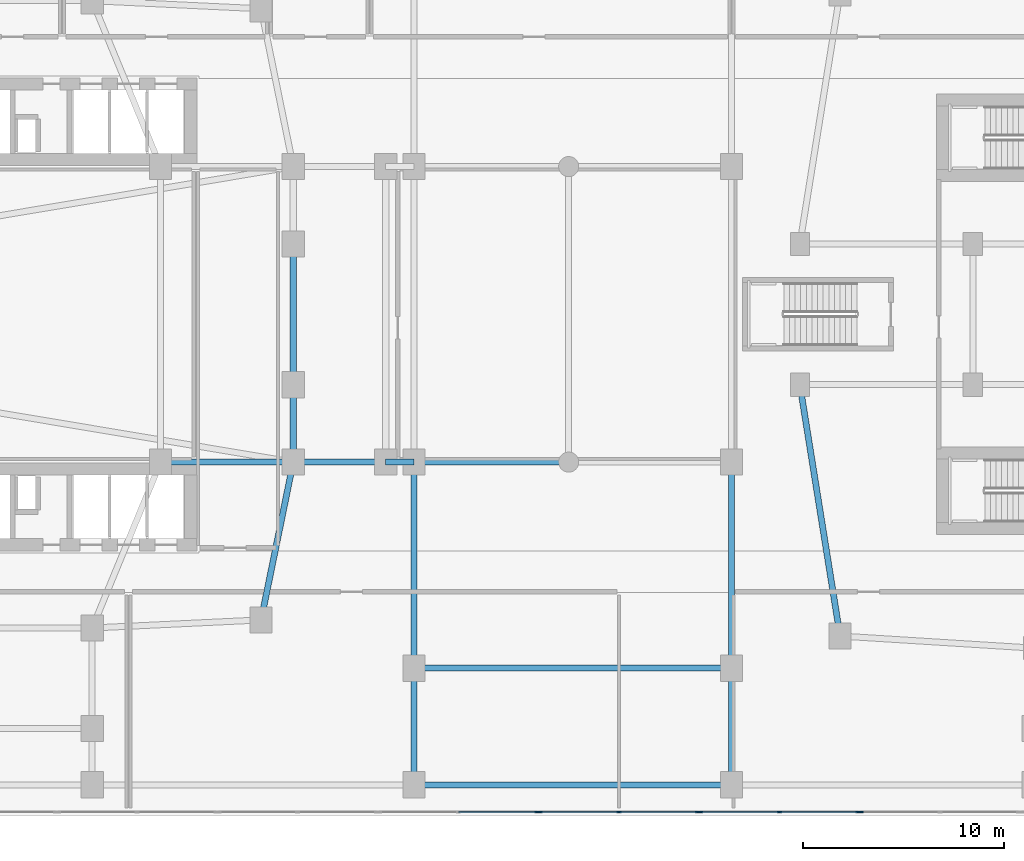
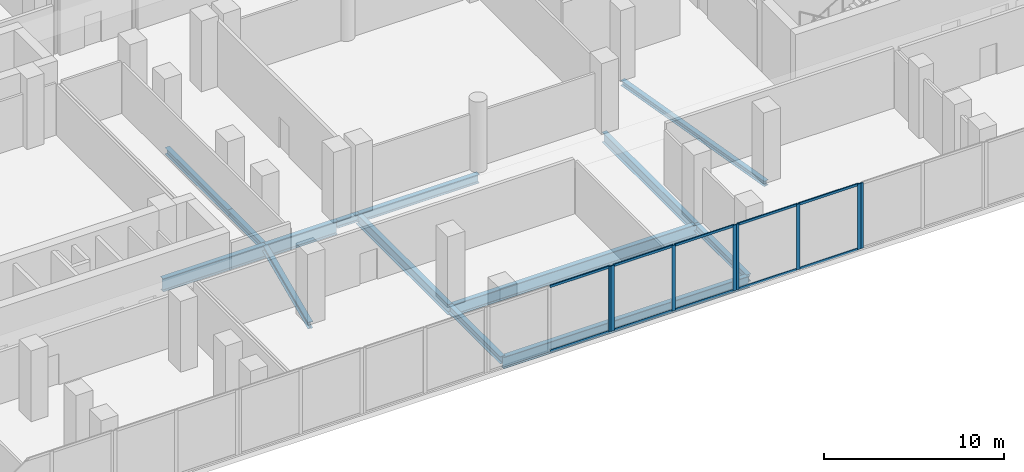
# One storey, part 4 of 23: 18 members, 14 beams, 4 elements without a shape of their own.
"""IFC4 building model written with IfcOpenShell, lengths in metres."""

import ifcopenshell
import ifcopenshell.guid

model = None  # the IFC model being written
_history = None  # IfcOwnerHistory: only IFC2X3 demands one
_inside = {}  # id of a spatial element -> (the spatial element, [elements in it])
_under = {}  # id of a project, library or spatial element -> (it, [spatial elements below it])
_declared = {}  # id of a project -> (the project, [libraries it declares])
_typed = {}  # id of a type object -> (the type object, [elements of that type])
_made_of = {}  # id of a material, layer set ... -> (it, [elements and type objects made of it])


def new_model(schema):
    """Start an empty IFC model of exactly this schema.

    Asked for "IFC4X3", IfcOpenShell would pick the latest addendum, in which some entities
    have other attributes; the version numbers below select the first issue.
    IFC2X3 requires an IfcOwnerHistory on every rooted entity: one is made here for all.
    """
    global model, _history
    if schema == "IFC4X3":
        model = ifcopenshell.file(schema_version=(4, 3, 0, 0))
    else:
        model = ifcopenshell.file(schema=schema)
    _inside.clear()
    _under.clear()
    _declared.clear()
    _typed.clear()
    _made_of.clear()
    _history = None
    if model.schema == "IFC2X3":
        org = make("IfcOrganization", Name="unknown")
        user = make(
            "IfcPersonAndOrganization",
            ThePerson=make("IfcPerson", FamilyName="unknown"),
            TheOrganization=org,
        )
        app = make(
            "IfcApplication",
            ApplicationDeveloper=org,
            Version="unknown",
            ApplicationFullName="unknown",
            ApplicationIdentifier="unknown",
        )
        _history = make(
            "IfcOwnerHistory",
            OwningUser=user,
            OwningApplication=app,
            ChangeAction="ADDED",
            CreationDate=0,
        )
    return model


def make(cls, **values):
    """One entity of the class cls with the attributes given. An attribute that is None is left unset."""
    return model.create_entity(
        cls, **{name: value for name, value in values.items() if value is not None}
    )


def rooted(cls, **values):
    """An entity with a GlobalId (a new one), such as an element, a storey or a relation."""
    return make(cls, GlobalId=ifcopenshell.guid.new(), OwnerHistory=_history, **values)


def si_unit(unit_type, name, prefix=None):
    """IfcSIUnit, for example si_unit("LENGTHUNIT", "METRE", prefix="MILLI")."""
    return make("IfcSIUnit", UnitType=unit_type, Prefix=prefix, Name=name)


def derived_unit(unit_type, elements):
    """IfcDerivedUnit: a product of units, each with its exponent."""
    return make(
        "IfcDerivedUnit",
        Elements=[
            make("IfcDerivedUnitElement", Unit=unit, Exponent=power)
            for unit, power in elements
        ],
        UnitType=unit_type,
    )


def assignment(units):
    """IfcUnitAssignment: the units of a project."""
    return None if units is None else make("IfcUnitAssignment", Units=units)


def point(xyz):
    """IfcCartesianPoint."""
    return None if xyz is None else make("IfcCartesianPoint", Coordinates=xyz)


def direction(xyz):
    """IfcDirection."""
    return None if xyz is None else make("IfcDirection", DirectionRatios=xyz)


def frame(location, z_axis=None, x_axis=None):
    """IfcAxis2Placement3D, a coordinate frame: its origin and axes. An axis left out is left unset."""
    return make(
        "IfcAxis2Placement3D",
        Location=point(location),
        Axis=direction(z_axis),
        RefDirection=direction(x_axis),
    )


def frame_2d(location, x_axis=None):
    """IfcAxis2Placement2D, a coordinate frame in the plane: its origin and x axis."""
    return make(
        "IfcAxis2Placement2D", Location=point(location), RefDirection=direction(x_axis)
    )


def origin():
    """The frame at (0, 0, 0) with its axes left unset."""
    return frame((0.0, 0.0, 0.0))


def origin_2d():
    """The frame at (0, 0) in the plane with its x axis left unset."""
    return frame_2d((0.0, 0.0))


def place(relative_to, where):
    """IfcLocalPlacement: puts the frame where relative to a parent placement (None: the world)."""
    return make(
        "IfcLocalPlacement", PlacementRelTo=relative_to, RelativePlacement=where
    )


def context(
    kind, dimensions, precision=None, world=None, true_north=None, identifier=None
):
    """IfcGeometricRepresentationContext, for example the 3D "Model" context."""
    return make(
        "IfcGeometricRepresentationContext",
        ContextIdentifier=identifier,
        ContextType=kind,
        CoordinateSpaceDimension=dimensions,
        Precision=precision,
        WorldCoordinateSystem=world,
        TrueNorth=true_north,
    )


def subcontext(parent, identifier, kind, view, scale=None):
    """IfcGeometricRepresentationSubContext, for example "Body" below "Model"."""
    return make(
        "IfcGeometricRepresentationSubContext",
        ContextIdentifier=identifier,
        ContextType=kind,
        ParentContext=parent,
        TargetScale=scale,
        TargetView=view,
    )


def project(units=None, contexts=None):
    """IfcProject with its units and contexts."""
    return rooted(
        "IfcProject",
        Name="project",
        RepresentationContexts=contexts,
        UnitsInContext=assignment(units),
    )


def spatial(cls, under=None, at=None, **own):
    """A site, building, storey or space (cls), placed at a placement, below another one or the project."""
    s = rooted(cls, ObjectPlacement=at, **own)
    if under is not None:
        _under.setdefault(under.id(), (under, []))[1].append(s)
    return s


def profile(cls, at=None, kind="AREA", **sizes):
    """A parametric profile (cls). Its sizes go by their IFC names, for example OverallWidth=200.0."""
    return make(cls, ProfileType=kind, Position=at, **sizes)


def rectangle(**sizes):
    """IfcRectangleProfileDef."""
    return profile("IfcRectangleProfileDef", **sizes)


def i_section(**sizes):
    """IfcIShapeProfileDef."""
    return profile("IfcIShapeProfileDef", **sizes)


def extrude(swept, where, along, depth):
    """IfcExtrudedAreaSolid: the profile swept, set in the frame where, extruded along a direction by depth."""
    return make(
        "IfcExtrudedAreaSolid",
        SweptArea=swept,
        Position=where,
        ExtrudedDirection=direction(along),
        Depth=depth,
    )


def shape(context_of_items, identifier, shape_type, items):
    """IfcShapeRepresentation: the items that make up one representation, for example the "Body"."""
    return make(
        "IfcShapeRepresentation",
        ContextOfItems=context_of_items,
        RepresentationIdentifier=identifier,
        RepresentationType=shape_type,
        Items=items,
    )


def material(Name=None, Category=None):
    """IfcMaterial."""
    return make("IfcMaterial", Name=Name, Category=Category)


def layer(
    of_material, thickness, ventilated=None, Name=None, Category=None, Priority=None
):
    """IfcMaterialLayer: one layer of a wall or slab, of a material (None: an air gap)."""
    return make(
        "IfcMaterialLayer",
        Material=of_material,
        LayerThickness=thickness,
        IsVentilated=ventilated,
        Name=Name,
        Category=Category,
        Priority=Priority,
    )


def layer_set(layers, Name=None):
    """IfcMaterialLayerSet."""
    return make("IfcMaterialLayerSet", MaterialLayers=layers, LayerSetName=Name)


def material_profile(
    of_material, cross_section, Name=None, Category=None, Priority=None
):
    """IfcMaterialProfile: a cross section and its material."""
    return make(
        "IfcMaterialProfile",
        Name=Name,
        Material=of_material,
        Profile=cross_section,
        Priority=Priority,
        Category=Category,
    )


def profile_set(profiles, Name=None, composite=None):
    """IfcMaterialProfileSet."""
    return make(
        "IfcMaterialProfileSet",
        Name=Name,
        MaterialProfiles=profiles,
        CompositeProfile=composite,
    )


def made_of(thing, what):
    """Note that an element or type object is made of a material, layer set ...; save() writes the relation."""
    if what is not None:
        _made_of.setdefault(what.id(), (what, []))[1].append(thing)
    return thing


def type_object(cls, material=None, **own):
    """A type object (cls), such as IfcWallType, which elements share."""
    return made_of(rooted(cls, **own), material)


def element(
    cls,
    number,
    at=None,
    inside=None,
    cuts=None,
    type_object=None,
    material=None,
    context=None,
    identifier="Body",
    shape_type=None,
    held_by="IfcProductDefinitionShape",
    body=None,
    shapes=None,
    **own,
):
    """One element of the class cls, such as IfcWall. Its Tag is "e" and its number.

    at: its placement. inside: the storey or other place that contains it. cuts: it is an
    opening in that element (IfcRelVoidsElement). A single representation is given by context,
    identifier, shape_type and body (its items); several are given by shapes. held_by: the class
    of the entity that holds the representations. save() writes the other relations.
    """
    e = rooted(cls, Tag="e%d" % number, ObjectPlacement=at, **own)
    if body is not None:
        shapes = [shape(context, identifier, shape_type, body)]
    if shapes is not None:
        e.Representation = make(held_by, Representations=shapes)
    if inside is not None:
        _inside.setdefault(inside.id(), (inside, []))[1].append(e)
    if cuts is not None:
        rooted(
            "IfcRelVoidsElement", RelatingBuildingElement=cuts, RelatedOpeningElement=e
        )
    if type_object is not None:
        _typed.setdefault(type_object.id(), (type_object, []))[1].append(e)
    return made_of(e, material)


def aggregate(whole, parts):
    """IfcRelAggregates: a whole, such as a stair, and the parts it consists of."""
    return rooted("IfcRelAggregates", RelatingObject=whole, RelatedObjects=parts)


def save(model, path):
    """Write the relations noted so far, then the file.

    IfcRelAggregates (storeys below a building ...), IfcRelContainedInSpatialStructure (elements
    in a storey), IfcRelDefinesByType, IfcRelAssociatesMaterial and IfcRelDeclares: one each for
    every whole, place, type object, material and project.
    """
    for whole, parts in _under.values():
        aggregate(whole, parts)
    for where, things in _inside.values():
        rooted(
            "IfcRelContainedInSpatialStructure",
            RelatedElements=things,
            RelatingStructure=where,
        )
    for kind, things in _typed.values():
        rooted("IfcRelDefinesByType", RelatedObjects=things, RelatingType=kind)
    for what, things in _made_of.values():
        rooted("IfcRelAssociatesMaterial", RelatedObjects=things, RelatingMaterial=what)
    for by, libraries in _declared.values():
        rooted("IfcRelDeclares", RelatingContext=by, RelatedDefinitions=libraries)
    model.write(path)


model = new_model("IFC4")

# Units and contexts
model_context = context("Model", 3, precision=1e-05, world=origin(), true_north=direction((0.0, 1.0)))
body_context = subcontext(model_context, "Body", "Model", "MODEL_VIEW")
ifc_project = project(units=[si_unit("LENGTHUNIT", "METRE"), si_unit("AREAUNIT", "SQUARE_METRE"), si_unit("VOLUMEUNIT", "CUBIC_METRE"), si_unit("PLANEANGLEUNIT", "RADIAN"), si_unit("MASSUNIT", "GRAM", prefix="KILO"), derived_unit("THERMALTRANSMITTANCEUNIT", [(si_unit("POWERUNIT", "WATT"), 1), (si_unit("LENGTHUNIT", "METRE"), -2), (si_unit("THERMODYNAMICTEMPERATUREUNIT", "KELVIN"), -1)])], contexts=[model_context])

# Site, building, storey
site_placement = place(None, origin())
site = spatial("IfcSite", under=ifc_project, at=site_placement, CompositionType="ELEMENT")
building_placement = place(site_placement, origin())
building = spatial("IfcBuilding", under=site, at=building_placement, Name="Kivonza Crest Hotel", CompositionType="ELEMENT")
storey_placement = place(building_placement, frame((0.0, 0.0, 5.39990234375)))
storey = spatial("IfcBuildingStorey", under=building, at=storey_placement, Name="L01", CompositionType="ELEMENT", Elevation=5.39990234375)

# Beams
ifc_material_1 = material(Name="Steel S355", Category="steel")
ifc_material_profile_1 = material_profile(ifc_material_1, i_section(OverallWidth=0.300048828125, OverallDepth=0.360107421875, WebThickness=0.012451171875, FlangeThickness=0.0224609375, FilletRadius=0.027099609375, at=origin_2d()), Name="HEB 360")
ifc_profile_set_1 = profile_set([ifc_material_profile_1], Name="Steel S355")
beam_type_1 = type_object("IfcBeamType", Name="BM-HEB360", PredefinedType="SPANDREL", material=ifc_profile_set_1)
beam_1_placement = place(storey_placement, frame((61.0, 21.5, -0.52978515625), z_axis=(0.157990501107, -0.987440631917, 0.0), x_axis=(0.987440631917, 0.157990501107, 0.0)))
element("IfcBeam", 1, at=beam_1_placement, inside=storey, type_object=beam_type_1, Name="Companion Tower T2 L01 perimeter spandrel W1-SW", PredefinedType="SPANDREL", context=body_context, shape_type="SweptSolid", body=[
    extrude(i_section(OverallWidth=0.300048828125, OverallDepth=0.360107421875, WebThickness=0.012451171875, FlangeThickness=0.0224609375, FilletRadius=0.027099609375, at=origin_2d()), origin(), (0.0, 0.0, 1.0), 12.658935546875),
])
ifc_material_profile_2 = material_profile(ifc_material_1, i_section(OverallWidth=0.300048828125, OverallDepth=0.449951171875, WebThickness=0.013916015625, FlangeThickness=0.02587890625, FilletRadius=0.027099609375, at=origin_2d()), Name="HEB 450")
ifc_profile_set_2 = profile_set([ifc_material_profile_2], Name="Steel S355")
beam_type_2 = type_object("IfcBeamType", Name="BM-HEB450", PredefinedType="SPANDREL", material=ifc_profile_set_2)
beam_2_placement = place(storey_placement, frame((34.199951171875, 9.800048828125, -0.574951171875), z_axis=(0.199730733965, 0.979850822273, 0.0), x_axis=(-0.979850822273, 0.199730733965, 0.0)))
element("IfcBeam", 2, at=beam_2_placement, inside=storey, type_object=beam_type_2, Name="Tower T1 L01 perimeter spandrel SE-PSE", PredefinedType="SPANDREL", context=body_context, shape_type="SweptSolid", body=[
    extrude(i_section(OverallWidth=0.300048828125, OverallDepth=0.449951171875, WebThickness=0.013916015625, FlangeThickness=0.02587890625, FilletRadius=0.027099609375, at=origin_2d()), origin(), (0.0, 0.0, 1.0), 8.01123046875),
])
beam_3_placement = place(storey_placement, frame((35.800048828125, 17.64990234375, -0.574951171875), z_axis=(0.0, 1.0, 0.0), x_axis=(-1.0, 0.0, 0.0)))
element("IfcBeam", 3, at=beam_3_placement, inside=storey, type_object=beam_type_2, Name="Tower T1 L01 perimeter spandrel PSE-E1", PredefinedType="SPANDREL", context=body_context, shape_type="SweptSolid", body=[
    extrude(i_section(OverallWidth=0.300048828125, OverallDepth=0.449951171875, WebThickness=0.013916015625, FlangeThickness=0.02587890625, FilletRadius=0.027099609375, at=origin_2d()), origin(), (0.0, 0.0, 1.0), 3.85009765625),
])
beam_4_placement = place(storey_placement, frame((35.800048828125, 21.5, -0.574951171875), z_axis=(0.0, 1.0, 0.0), x_axis=(-1.0, 0.0, 0.0)))
element("IfcBeam", 4, at=beam_4_placement, inside=storey, type_object=beam_type_2, Name="Tower T1 L01 perimeter spandrel E1-E2", PredefinedType="SPANDREL", context=body_context, shape_type="SweptSolid", body=[
    extrude(i_section(OverallWidth=0.300048828125, OverallDepth=0.449951171875, WebThickness=0.013916015625, FlangeThickness=0.02587890625, FilletRadius=0.027099609375, at=origin_2d()), origin(), (0.0, 0.0, 1.0), 7.0),
])
ifc_material_profile_3 = material_profile(ifc_material_1, i_section(OverallWidth=0.300048828125, OverallDepth=0.5, WebThickness=0.014404296875, FlangeThickness=0.028076171875, FilletRadius=0.027099609375, at=origin_2d()), Name="HEB 500")
ifc_profile_set_3 = profile_set([ifc_material_profile_3], Name="Steel S355")
beam_type_3 = type_object("IfcBeamType", Name="BM-HEB500", PredefinedType="BEAM", material=ifc_profile_set_3)
beam_5_placement = place(storey_placement, frame((40.39990234375, 17.64990234375, -0.599853515625), z_axis=(1.0, 0.0, 0.0), x_axis=(0.0, 1.0, 0.0)))
element("IfcBeam", 5, at=beam_5_placement, inside=storey, type_object=beam_type_3, Name="L01 podium girder X 17", PredefinedType="BEAM", context=body_context, shape_type="SweptSolid", body=[
    extrude(i_section(OverallWidth=0.300048828125, OverallDepth=0.5, WebThickness=0.014404296875, FlangeThickness=0.028076171875, FilletRadius=0.027099609375, at=origin_2d()), origin(), (0.0, 0.0, 1.0), 1.400146484375),
])
for number, where, z_axis, x_axis, name in (
    (6, (41.800048828125, 1.60009765625, -0.599853515625), (0.0, 1.0, 0.0), (-1.0, 0.0, 0.0), "L01 podium girder Y 71"),
    (7, (57.60009765625, 1.60009765625, -0.599853515625), (0.0, 1.0, 0.0), (-1.0, 0.0, 0.0), "L01 podium girder Y 77"),
):
    element("IfcBeam", number, at=place(storey_placement, frame(where, z_axis=z_axis, x_axis=x_axis)), inside=storey, type_object=beam_type_3, Name=name, PredefinedType="BEAM", context=body_context, shape_type="SweptSolid", body=[
        extrude(i_section(OverallWidth=0.300048828125, OverallDepth=0.5, WebThickness=0.014404296875, FlangeThickness=0.028076171875, FilletRadius=0.027099609375, at=origin_2d()), origin(), (0.0, 0.0, 1.0), 5.7998046875),
    ])
ifc_material_profile_4 = material_profile(ifc_material_1, i_section(OverallWidth=0.300048828125, OverallDepth=0.60009765625, WebThickness=0.015380859375, FlangeThickness=0.030029296875, FilletRadius=0.027099609375, at=origin_2d()), Name="HEB 600")
ifc_profile_set_4 = profile_set([ifc_material_profile_4], Name="Steel S355")
beam_type_4 = type_object("IfcBeamType", Name="BM-HEB600", PredefinedType="BEAM", material=ifc_profile_set_4)
beam_6_placement = place(storey_placement, frame((41.800048828125, 17.64990234375, -0.64990234375), z_axis=(1.0, 0.0, 0.0), x_axis=(0.0, 1.0, 0.0)))
element("IfcBeam", 8, at=beam_6_placement, inside=storey, type_object=beam_type_4, Name="L01 podium girder X 18", PredefinedType="BEAM", context=body_context, shape_type="SweptSolid", body=[
    extrude(i_section(OverallWidth=0.300048828125, OverallDepth=0.60009765625, WebThickness=0.015380859375, FlangeThickness=0.030029296875, FilletRadius=0.027099609375, at=origin_2d()), origin(), (0.0, 0.0, 1.0), 7.699951171875),
])
ifc_material_profile_5 = material_profile(ifc_material_1, i_section(OverallWidth=0.300048828125, OverallDepth=0.699951171875, WebThickness=0.01708984375, FlangeThickness=0.031982421875, FilletRadius=0.027099609375, at=origin_2d()), Name="HEB 700")
ifc_profile_set_5 = profile_set([ifc_material_profile_5], Name="Steel S355")
beam_type_5 = type_object("IfcBeamType", Name="BM-HEB700", PredefinedType="BEAM", material=ifc_profile_set_5)
for number, where, z_axis, x_axis, name in (
    (9, (41.800048828125, 7.39990234375, -0.699951171875), (0.0, 1.0, 0.0), (-1.0, 0.0, 0.0), "L01 podium girder Y 72"),
    (10, (57.60009765625, 7.39990234375, -0.699951171875), (0.0, 1.0, 0.0), (-1.0, 0.0, 0.0), "L01 podium girder Y 78"),
):
    element("IfcBeam", number, at=place(storey_placement, frame(where, z_axis=z_axis, x_axis=x_axis)), inside=storey, type_object=beam_type_5, Name=name, PredefinedType="BEAM", context=body_context, shape_type="SweptSolid", body=[
        extrude(i_section(OverallWidth=0.300048828125, OverallDepth=0.699951171875, WebThickness=0.01708984375, FlangeThickness=0.031982421875, FilletRadius=0.027099609375, at=origin_2d()), origin(), (0.0, 0.0, 1.0), 10.25),
    ])
ifc_material_profile_6 = material_profile(ifc_material_1, i_section(OverallWidth=0.300048828125, OverallDepth=0.800048828125, WebThickness=0.017578125, FlangeThickness=0.032958984375, FilletRadius=0.030029296875, at=origin_2d()), Name="HEB 800")
ifc_profile_set_6 = profile_set([ifc_material_profile_6], Name="Steel S355")
beam_type_6 = type_object("IfcBeamType", Name="BM-HEB800", PredefinedType="BEAM", material=ifc_profile_set_6)
for number, where, z_axis, x_axis, name in (
    (11, (41.800048828125, 1.60009765625, -0.75), (1.0, 0.0, 0.0), (0.0, 1.0, 0.0), "L01 podium girder X 4"),
    (12, (41.800048828125, 7.39990234375, -0.75), (1.0, 0.0, 0.0), (0.0, 1.0, 0.0), "L01 podium girder X 12"),
):
    element("IfcBeam", number, at=place(storey_placement, frame(where, z_axis=z_axis, x_axis=x_axis)), inside=storey, type_object=beam_type_6, Name=name, PredefinedType="BEAM", context=body_context, shape_type="SweptSolid", body=[
        extrude(i_section(OverallWidth=0.300048828125, OverallDepth=0.800048828125, WebThickness=0.017578125, FlangeThickness=0.032958984375, FilletRadius=0.030029296875, at=origin_2d()), origin(), (0.0, 0.0, 1.0), 15.800048828125),
    ])
ifc_material_profile_7 = material_profile(ifc_material_1, i_section(OverallWidth=0.300048828125, OverallDepth=0.89990234375, WebThickness=0.0185546875, FlangeThickness=0.034912109375, FilletRadius=0.030029296875, at=origin_2d()), Name="HEB 900")
ifc_profile_set_7 = profile_set([ifc_material_profile_7], Name="Steel S355")
beam_type_7 = type_object("IfcBeamType", Name="BM-HEB900", PredefinedType="BEAM", material=ifc_profile_set_7)
beam_7_placement = place(storey_placement, frame((29.199951171875, 17.64990234375, -0.7998046875), z_axis=(1.0, 0.0, 0.0), x_axis=(0.0, 1.0, 0.0)))
element("IfcBeam", 13, at=beam_7_placement, inside=storey, type_object=beam_type_7, Name="Tower T1 L01 primary girder TSE-PSE", PredefinedType="BEAM", context=body_context, shape_type="SweptSolid", body=[
    extrude(i_section(OverallWidth=0.300048828125, OverallDepth=0.89990234375, WebThickness=0.0185546875, FlangeThickness=0.034912109375, FilletRadius=0.030029296875, at=origin_2d()), origin(), (0.0, 0.0, 1.0), 6.60009765625),
])
beam_8_placement = place(storey_placement, frame((40.39990234375, 17.64990234375, -0.7998046875), z_axis=(-1.0, 0.0, 0.0), x_axis=(0.0, -1.0, 0.0)))
element("IfcBeam", 14, at=beam_8_placement, inside=storey, type_object=beam_type_7, Name="Tower T1 L01 outer bay girder ZE1", PredefinedType="BEAM", context=body_context, shape_type="SweptSolid", body=[
    extrude(i_section(OverallWidth=0.300048828125, OverallDepth=0.89990234375, WebThickness=0.0185546875, FlangeThickness=0.034912109375, FilletRadius=0.030029296875, at=origin_2d()), origin(), (0.0, 0.0, 1.0), 4.599853515625),
])

# Curtain wall, member
ifc_material_2 = material(Name="Anodised bronze aluminium and low-E double glazing", Category="aluminium")
ifc_layer = layer(ifc_material_2, 0.219970703125)
ifc_layer_set = layer_set([ifc_layer], Name="Anodised bronze aluminium and low-E double glazing")
curtain_wall_type = type_object("IfcCurtainWallType", Name="CW-SYS-1", PredefinedType="NOTDEFINED", material=ifc_layer_set)
curtain_wall_1_placement = place(storey_placement, origin())
curtain_wall_1 = element("IfcCurtainWall", 15, at=curtain_wall_1_placement, inside=storey, type_object=curtain_wall_type, Name="L01 unitised curtain wall CW-POD-L01-06", PredefinedType="NOTDEFINED")
ifc_material_3 = material(Name="Anodised bronze aluminium", Category="aluminium")
ifc_material_profile_8 = material_profile(ifc_material_3, rectangle(XDim=0.074951171875, YDim=0.219970703125, at=origin_2d()), Name="CW-M 75x220")
ifc_profile_set_8 = profile_set([ifc_material_profile_8], Name="Anodised bronze aluminium")
member_type_1 = type_object("IfcMemberType", Name="CW-MUL-75x220", PredefinedType="MULLION", material=ifc_profile_set_8)
member_1_placement = place(storey_placement, frame((47.922607421875, 0.239990234375, 0.0), z_axis=(0.0, 0.0, 1.0), x_axis=(0.0, 1.0, 0.0)))
member_1 = element("IfcMember", 16, at=member_1_placement, type_object=member_type_1, Name="CW-1 mullion 3", PredefinedType="MULLION", context=body_context, shape_type="SweptSolid", body=[
    extrude(rectangle(XDim=0.074951171875, YDim=0.219970703125, at=origin_2d()), origin(), (0.0, 0.0, 1.0), 4.4501953125),
])

# Curtain wall, members
curtain_wall_2_placement = place(storey_placement, origin())
curtain_wall_2 = element("IfcCurtainWall", 17, at=curtain_wall_2_placement, inside=storey, type_object=curtain_wall_type, Name="L01 unitised curtain wall CW-POD-L01-07", PredefinedType="NOTDEFINED")
member_2_placement = place(storey_placement, frame((48.077392578125, 0.239990234375, 0.0), z_axis=(0.0, 0.0, 1.0), x_axis=(0.0, 1.0, 0.0)))
member_2 = element("IfcMember", 18, at=member_2_placement, type_object=member_type_1, Name="CW-1 mullion 1", PredefinedType="MULLION", context=body_context, shape_type="SweptSolid", body=[
    extrude(rectangle(XDim=0.074951171875, YDim=0.219970703125, at=origin_2d()), origin(), (0.0, 0.0, 1.0), 4.4501953125),
])
member_3_placement = place(storey_placement, frame((51.993408203125, 0.239990234375, 0.0), z_axis=(0.0, 0.0, 1.0), x_axis=(0.0, 1.0, 0.0)))
member_3 = element("IfcMember", 19, at=member_3_placement, type_object=member_type_1, Name="CW-1 mullion 2", PredefinedType="MULLION", context=body_context, shape_type="SweptSolid", body=[
    extrude(rectangle(XDim=0.074951171875, YDim=0.219970703125, at=origin_2d()), origin(), (0.0, 0.0, 1.0), 4.4501953125),
])
member_4_placement = place(storey_placement, frame((55.909423828125, 0.239990234375, 0.0), z_axis=(0.0, 0.0, 1.0), x_axis=(0.0, 1.0, 0.0)))
member_4 = element("IfcMember", 20, at=member_4_placement, type_object=member_type_1, Name="CW-1 mullion 3", PredefinedType="MULLION", context=body_context, shape_type="SweptSolid", body=[
    extrude(rectangle(XDim=0.074951171875, YDim=0.219970703125, at=origin_2d()), origin(), (0.0, 0.0, 1.0), 4.4501953125),
])

curtain_wall_3_placement = place(storey_placement, origin())
curtain_wall_3 = element("IfcCurtainWall", 21, at=curtain_wall_3_placement, inside=storey, type_object=curtain_wall_type, Name="L01 unitised curtain wall CW-POD-L01-08", PredefinedType="NOTDEFINED")
member_5_placement = place(storey_placement, frame((56.064453125, 0.239990234375, 0.0), z_axis=(0.0, 0.0, 1.0), x_axis=(0.0, 1.0, 0.0)))
member_5 = element("IfcMember", 22, at=member_5_placement, type_object=member_type_1, Name="CW-1 mullion 1", PredefinedType="MULLION", context=body_context, shape_type="SweptSolid", body=[
    extrude(rectangle(XDim=0.074951171875, YDim=0.219970703125, at=origin_2d()), origin(), (0.0, 0.0, 1.0), 4.4501953125),
])
member_6_placement = place(storey_placement, frame((59.97998046875, 0.239990234375, 0.0), z_axis=(0.0, 0.0, 1.0), x_axis=(0.0, 1.0, 0.0)))
member_6 = element("IfcMember", 23, at=member_6_placement, type_object=member_type_1, Name="CW-1 mullion 2", PredefinedType="MULLION", context=body_context, shape_type="SweptSolid", body=[
    extrude(rectangle(XDim=0.074951171875, YDim=0.219970703125, at=origin_2d()), origin(), (0.0, 0.0, 1.0), 4.4501953125),
])
member_7_placement = place(storey_placement, frame((63.8955078125, 0.239990234375, 0.0), z_axis=(0.0, 0.0, 1.0), x_axis=(0.0, 1.0, 0.0)))
member_7 = element("IfcMember", 24, at=member_7_placement, type_object=member_type_1, Name="CW-1 mullion 3", PredefinedType="MULLION", context=body_context, shape_type="SweptSolid", body=[
    extrude(rectangle(XDim=0.074951171875, YDim=0.219970703125, at=origin_2d()), origin(), (0.0, 0.0, 1.0), 4.4501953125),
])

# Curtain wall, member
curtain_wall_4_placement = place(storey_placement, origin())
curtain_wall_4 = element("IfcCurtainWall", 25, at=curtain_wall_4_placement, inside=storey, type_object=curtain_wall_type, Name="L01 unitised curtain wall CW-POD-L01-09", PredefinedType="NOTDEFINED")
member_8_placement = place(storey_placement, frame((64.050537109375, 0.239990234375, 0.0), z_axis=(0.0, 0.0, 1.0), x_axis=(0.0, 1.0, 0.0)))
member_8 = element("IfcMember", 26, at=member_8_placement, type_object=member_type_1, Name="CW-1 mullion 1", PredefinedType="MULLION", context=body_context, shape_type="SweptSolid", body=[
    extrude(rectangle(XDim=0.074951171875, YDim=0.219970703125, at=origin_2d()), origin(), (0.0, 0.0, 1.0), 4.4501953125),
])
aggregate(curtain_wall_4, [member_8])

# Member
ifc_material_profile_9 = material_profile(ifc_material_3, rectangle(XDim=0.074951171875, YDim=0.159912109375, at=origin_2d()), Name="CW-T 75x160")
ifc_profile_set_9 = profile_set([ifc_material_profile_9], Name="Anodised bronze aluminium")
member_type_2 = type_object("IfcMemberType", Name="CW-TRN-75x160", PredefinedType="USERDEFINED", material=ifc_profile_set_9)
member_9_placement = place(storey_placement, frame((44.0439453125, 0.239990234375, 0.03759765625), z_axis=(1.0, 0.0, 0.0), x_axis=(0.0, 1.0, 0.0)))
member_9 = element("IfcMember", 27, at=member_9_placement, type_object=member_type_2, Name="CW-1 transom 2.1", ObjectType="TRANSOM", PredefinedType="USERDEFINED", context=body_context, shape_type="SweptSolid", body=[
    extrude(rectangle(XDim=0.074951171875, YDim=0.159912109375, at=origin_2d()), origin(), (0.0, 0.0, 1.0), 3.841064453125),
])

member_10_placement = place(storey_placement, frame((44.0439453125, 0.239990234375, 4.41259765625), z_axis=(1.0, 0.0, 0.0), x_axis=(0.0, 1.0, 0.0)))
member_10 = element("IfcMember", 28, at=member_10_placement, type_object=member_type_2, Name="CW-1 transom 2.2", ObjectType="TRANSOM", PredefinedType="USERDEFINED", context=body_context, shape_type="SweptSolid", body=[
    extrude(rectangle(XDim=0.074951171875, YDim=0.159912109375, at=origin_2d()), origin(), (0.0, 0.0, 1.0), 3.841064453125),
])

aggregate(curtain_wall_1, [member_1, member_9, member_10])

member_11_placement = place(storey_placement, frame((48.114990234375, 0.239990234375, 0.03759765625), z_axis=(1.0, 0.0, 0.0), x_axis=(0.0, 1.0, 0.0)))
member_11 = element("IfcMember", 29, at=member_11_placement, type_object=member_type_2, Name="CW-1 transom 1.1", ObjectType="TRANSOM", PredefinedType="USERDEFINED", context=body_context, shape_type="SweptSolid", body=[
    extrude(rectangle(XDim=0.074951171875, YDim=0.159912109375, at=origin_2d()), origin(), (0.0, 0.0, 1.0), 3.841064453125),
])

member_12_placement = place(storey_placement, frame((48.114990234375, 0.239990234375, 4.41259765625), z_axis=(1.0, 0.0, 0.0), x_axis=(0.0, 1.0, 0.0)))
member_12 = element("IfcMember", 30, at=member_12_placement, type_object=member_type_2, Name="CW-1 transom 1.2", ObjectType="TRANSOM", PredefinedType="USERDEFINED", context=body_context, shape_type="SweptSolid", body=[
    extrude(rectangle(XDim=0.074951171875, YDim=0.159912109375, at=origin_2d()), origin(), (0.0, 0.0, 1.0), 3.841064453125),
])

member_13_placement = place(storey_placement, frame((52.031005859375, 0.239990234375, 0.03759765625), z_axis=(1.0, 0.0, 0.0), x_axis=(0.0, 1.0, 0.0)))
member_13 = element("IfcMember", 31, at=member_13_placement, type_object=member_type_2, Name="CW-1 transom 2.1", ObjectType="TRANSOM", PredefinedType="USERDEFINED", context=body_context, shape_type="SweptSolid", body=[
    extrude(rectangle(XDim=0.074951171875, YDim=0.159912109375, at=origin_2d()), origin(), (0.0, 0.0, 1.0), 3.841064453125),
])

member_14_placement = place(storey_placement, frame((52.031005859375, 0.239990234375, 4.41259765625), z_axis=(1.0, 0.0, 0.0), x_axis=(0.0, 1.0, 0.0)))
member_14 = element("IfcMember", 32, at=member_14_placement, type_object=member_type_2, Name="CW-1 transom 2.2", ObjectType="TRANSOM", PredefinedType="USERDEFINED", context=body_context, shape_type="SweptSolid", body=[
    extrude(rectangle(XDim=0.074951171875, YDim=0.159912109375, at=origin_2d()), origin(), (0.0, 0.0, 1.0), 3.841064453125),
])

aggregate(curtain_wall_2, [member_2, member_3, member_4, member_11, member_12, member_13, member_14])

member_15_placement = place(storey_placement, frame((56.10205078125, 0.239990234375, 0.03759765625), z_axis=(1.0, 0.0, 0.0), x_axis=(0.0, 1.0, 0.0)))
member_15 = element("IfcMember", 33, at=member_15_placement, type_object=member_type_2, Name="CW-1 transom 1.1", ObjectType="TRANSOM", PredefinedType="USERDEFINED", context=body_context, shape_type="SweptSolid", body=[
    extrude(rectangle(XDim=0.074951171875, YDim=0.159912109375, at=origin_2d()), origin(), (0.0, 0.0, 1.0), 3.84033203125),
])

member_16_placement = place(storey_placement, frame((56.10205078125, 0.239990234375, 4.41259765625), z_axis=(1.0, 0.0, 0.0), x_axis=(0.0, 1.0, 0.0)))
member_16 = element("IfcMember", 34, at=member_16_placement, type_object=member_type_2, Name="CW-1 transom 1.2", ObjectType="TRANSOM", PredefinedType="USERDEFINED", context=body_context, shape_type="SweptSolid", body=[
    extrude(rectangle(XDim=0.074951171875, YDim=0.159912109375, at=origin_2d()), origin(), (0.0, 0.0, 1.0), 3.84033203125),
])

member_17_placement = place(storey_placement, frame((60.017578125, 0.239990234375, 0.03759765625), z_axis=(1.0, 0.0, 0.0), x_axis=(0.0, 1.0, 0.0)))
member_17 = element("IfcMember", 35, at=member_17_placement, type_object=member_type_2, Name="CW-1 transom 2.1", ObjectType="TRANSOM", PredefinedType="USERDEFINED", context=body_context, shape_type="SweptSolid", body=[
    extrude(rectangle(XDim=0.074951171875, YDim=0.159912109375, at=origin_2d()), origin(), (0.0, 0.0, 1.0), 3.84033203125),
])

member_18_placement = place(storey_placement, frame((60.017578125, 0.239990234375, 4.41259765625), z_axis=(1.0, 0.0, 0.0), x_axis=(0.0, 1.0, 0.0)))
member_18 = element("IfcMember", 36, at=member_18_placement, type_object=member_type_2, Name="CW-1 transom 2.2", ObjectType="TRANSOM", PredefinedType="USERDEFINED", context=body_context, shape_type="SweptSolid", body=[
    extrude(rectangle(XDim=0.074951171875, YDim=0.159912109375, at=origin_2d()), origin(), (0.0, 0.0, 1.0), 3.84033203125),
])

aggregate(curtain_wall_3, [member_5, member_6, member_7, member_15, member_16, member_17, member_18])

save(model, "model.ifc")
